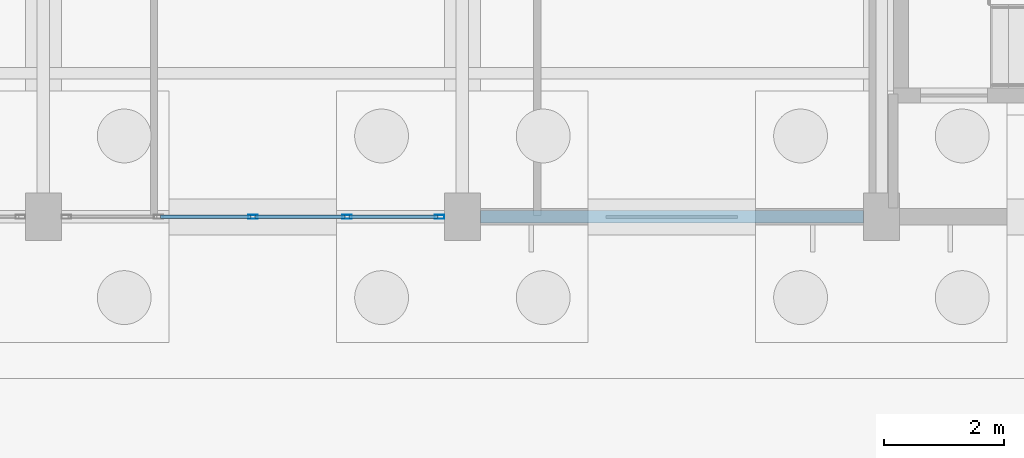
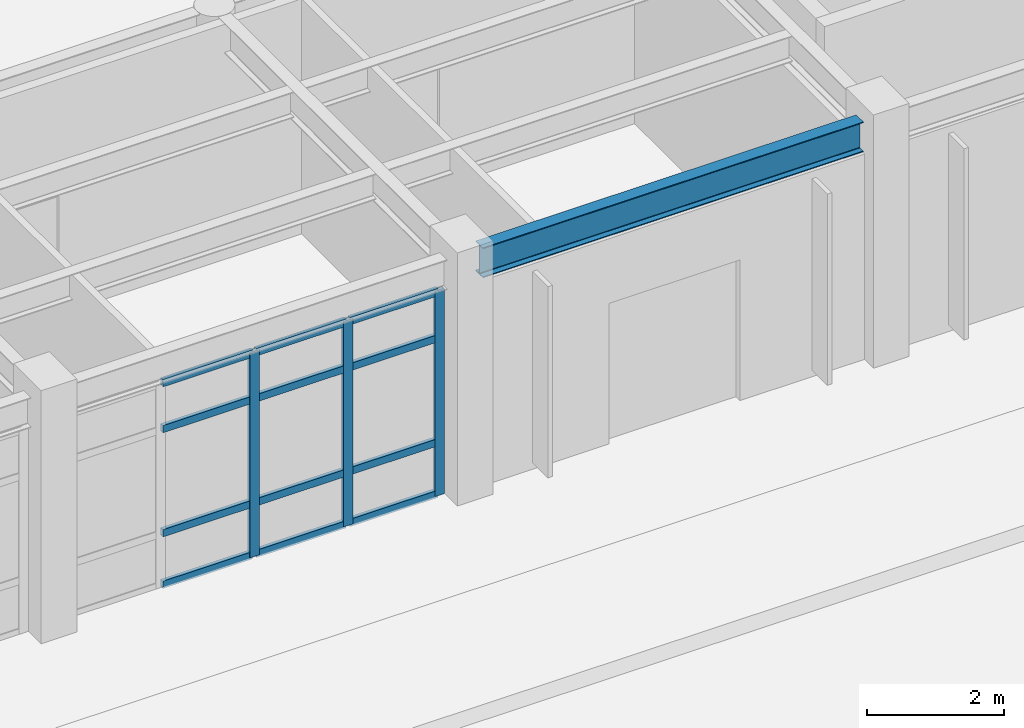
# One storey, part 18 of 154: 15 members, 1 beam, 1 element without a shape of its own.
"""IFC4 building model written with IfcOpenShell, lengths in metres."""

from ifc_helpers import new_model, si_unit, direction, frame, origin, origin_2d, place, context, subcontext, project, spatial, hollow_rectangle, i_section, extrude, material, material_profile, profile_set, type_object, element, aggregate, save


model = new_model("IFC4")

# Units and contexts
model_context = context("Model", 3, precision=1e-05, world=origin(), true_north=direction((0.0, 1.0)))
body_context = subcontext(model_context, "Body", "Model", "MODEL_VIEW")
ifc_project = project(units=[si_unit("LENGTHUNIT", "METRE"), si_unit("AREAUNIT", "SQUARE_METRE"), si_unit("VOLUMEUNIT", "CUBIC_METRE"), si_unit("PLANEANGLEUNIT", "RADIAN"), si_unit("MASSUNIT", "GRAM", prefix="KILO")], contexts=[model_context])

# Site, building, storey
site_placement = place(None, origin())
site = spatial("IfcSite", under=ifc_project, at=site_placement, CompositionType="ELEMENT")
building_placement = place(site_placement, origin())
building = spatial("IfcBuilding", under=site, at=building_placement, Name="Kestramere Prow Commons", CompositionType="ELEMENT")
storey_placement = place(building_placement, origin())
storey = spatial("IfcBuildingStorey", under=building, at=storey_placement, Name="L00", CompositionType="ELEMENT", Elevation=0.0)

# Beam
ifc_material_1 = material(Name="Steel S355JR", Category="steel")
ifc_material_profile_1 = material_profile(ifc_material_1, i_section(OverallWidth=0.209228515625, OverallDepth=0.533203125, WebThickness=0.010009765625, FlangeThickness=0.015625, FilletRadius=0.0126953125, at=origin_2d()), Name="UB 533x210x92")
ifc_profile_set_1 = profile_set([ifc_material_profile_1], Name="Steel S355JR")
beam_type = type_object("IfcBeamType", Name="BM-HL-GAL UB 533x210x92 (EX)", PredefinedType="BEAM", material=ifc_profile_set_1)
beam_placement = place(storey_placement, frame((37.5, 7.5, 3.933349609375), z_axis=(1.0, 0.0, 0.0), x_axis=(0.0, 1.0, 0.0)))
element("IfcBeam", 1, at=beam_placement, inside=storey, type_object=beam_type, Name="Hall South Girder 6", PredefinedType="BEAM", context=body_context, shape_type="SweptSolid", body=[
    extrude(i_section(OverallWidth=0.209228515625, OverallDepth=0.533203125, WebThickness=0.010009765625, FlangeThickness=0.015625, FilletRadius=0.0126953125, at=origin_2d()), origin(), (0.0, 0.0, 1.0), 6.39990234375),
])

# Curtain wall, members
ifc_material_2 = material(Name="Anodised Aluminium and Low-E Glass", Category="aluminium")
curtain_wall_type = type_object("IfcCurtainWallType", Name="CW-11 Glazed Curtain Wall 6300x3650", PredefinedType="USERDEFINED", material=ifc_material_2)
curtain_wall_placement = place(storey_placement, origin())
curtain_wall = element("IfcCurtainWall", 2, at=curtain_wall_placement, inside=storey, type_object=curtain_wall_type, Name="Hall South Foyer Curtain Wall 5", ObjectType="GLAZED CURTAIN WALL", PredefinedType="USERDEFINED")
ifc_material_3 = material(Name="Anodised Aluminium 6063-T6", Category="aluminium")
ifc_material_profile_2 = material_profile(ifc_material_3, hollow_rectangle(XDim=0.06494140625, YDim=0.159912109375, WallThickness=0.00390625, at=origin_2d()), Name="ALU-MUL 65x160")
ifc_profile_set_2 = profile_set([ifc_material_profile_2], Name="Anodised Aluminium 6063-T6")
member_type_1 = type_object("IfcMemberType", Name="CW-MUL-65x160", PredefinedType="MULLION", material=ifc_profile_set_2)
member_1_placement = place(storey_placement, frame((36.8173828125, 7.5, 0.0), z_axis=(0.0, 0.0, 1.0), x_axis=(0.0, -1.0, 0.0)))
member_1 = element("IfcMember", 3, at=member_1_placement, type_object=member_type_1, Name="CW-11 mullion 1", PredefinedType="MULLION", context=body_context, shape_type="SweptSolid", body=[
    extrude(hollow_rectangle(XDim=0.06494140625, YDim=0.159912109375, WallThickness=0.00390625, at=origin_2d()), origin(), (0.0, 0.0, 1.0), 3.64990234375),
])
member_2_placement = place(storey_placement, frame((35.27490234375, 7.5, 0.0), z_axis=(0.0, 0.0, 1.0), x_axis=(0.0, -1.0, 0.0)))
member_2 = element("IfcMember", 4, at=member_2_placement, type_object=member_type_1, Name="CW-11 mullion 2", PredefinedType="MULLION", context=body_context, shape_type="SweptSolid", body=[
    extrude(hollow_rectangle(XDim=0.06494140625, YDim=0.159912109375, WallThickness=0.00390625, at=origin_2d()), origin(), (0.0, 0.0, 1.0), 3.64990234375),
])
member_3_placement = place(storey_placement, frame((33.699951171875, 7.5, 0.0), z_axis=(0.0, 0.0, 1.0), x_axis=(0.0, -1.0, 0.0)))
member_3 = element("IfcMember", 5, at=member_3_placement, type_object=member_type_1, Name="CW-11 mullion 3", PredefinedType="MULLION", context=body_context, shape_type="SweptSolid", body=[
    extrude(hollow_rectangle(XDim=0.06494140625, YDim=0.159912109375, WallThickness=0.00390625, at=origin_2d()), origin(), (0.0, 0.0, 1.0), 3.64990234375),
])
ifc_material_profile_3 = material_profile(ifc_material_3, hollow_rectangle(XDim=0.06494140625, YDim=0.1298828125, WallThickness=0.00390625, at=origin_2d()), Name="ALU-TRN 65x130")
ifc_profile_set_3 = profile_set([ifc_material_profile_3], Name="Anodised Aluminium 6063-T6")
member_type_2 = type_object("IfcMemberType", Name="CW-TRN-65x130", PredefinedType="USERDEFINED", material=ifc_profile_set_3)
member_4_placement = place(storey_placement, frame((36.784912109375, 7.5, 0.032470703125), z_axis=(-1.0, 0.0, 0.0), x_axis=(0.0, -1.0, 0.0)))
member_4 = element("IfcMember", 6, at=member_4_placement, type_object=member_type_2, Name="CW-11 transom 1.1", ObjectType="TRANSOM", PredefinedType="USERDEFINED", context=body_context, shape_type="SweptSolid", body=[
    extrude(hollow_rectangle(XDim=0.06494140625, YDim=0.1298828125, WallThickness=0.00390625, at=origin_2d()), origin(), (0.0, 0.0, 1.0), 1.477294921875),
])
member_5_placement = place(storey_placement, frame((36.784912109375, 7.5, 0.949951171875), z_axis=(-1.0, 0.0, 0.0), x_axis=(0.0, -1.0, 0.0)))
member_5 = element("IfcMember", 7, at=member_5_placement, type_object=member_type_2, Name="CW-11 transom 1.2", ObjectType="TRANSOM", PredefinedType="USERDEFINED", context=body_context, shape_type="SweptSolid", body=[
    extrude(hollow_rectangle(XDim=0.06494140625, YDim=0.1298828125, WallThickness=0.00390625, at=origin_2d()), origin(), (0.0, 0.0, 1.0), 1.477294921875),
])
member_6_placement = place(storey_placement, frame((36.784912109375, 7.5, 2.800048828125), z_axis=(-1.0, 0.0, 0.0), x_axis=(0.0, -1.0, 0.0)))
member_6 = element("IfcMember", 8, at=member_6_placement, type_object=member_type_2, Name="CW-11 transom 1.3", ObjectType="TRANSOM", PredefinedType="USERDEFINED", context=body_context, shape_type="SweptSolid", body=[
    extrude(hollow_rectangle(XDim=0.06494140625, YDim=0.1298828125, WallThickness=0.00390625, at=origin_2d()), origin(), (0.0, 0.0, 1.0), 1.477294921875),
])
member_7_placement = place(storey_placement, frame((36.784912109375, 7.5, 3.617431640625), z_axis=(-1.0, 0.0, 0.0), x_axis=(0.0, -1.0, 0.0)))
member_7 = element("IfcMember", 9, at=member_7_placement, type_object=member_type_2, Name="CW-11 transom 1.4", ObjectType="TRANSOM", PredefinedType="USERDEFINED", context=body_context, shape_type="SweptSolid", body=[
    extrude(hollow_rectangle(XDim=0.06494140625, YDim=0.1298828125, WallThickness=0.00390625, at=origin_2d()), origin(), (0.0, 0.0, 1.0), 1.477294921875),
])
member_8_placement = place(storey_placement, frame((35.242431640625, 7.5, 0.032470703125), z_axis=(-1.0, 0.0, 0.0), x_axis=(0.0, -1.0, 0.0)))
member_8 = element("IfcMember", 10, at=member_8_placement, type_object=member_type_2, Name="CW-11 transom 2.1", ObjectType="TRANSOM", PredefinedType="USERDEFINED", context=body_context, shape_type="SweptSolid", body=[
    extrude(hollow_rectangle(XDim=0.06494140625, YDim=0.1298828125, WallThickness=0.00390625, at=origin_2d()), origin(), (0.0, 0.0, 1.0), 1.510009765625),
])
member_9_placement = place(storey_placement, frame((35.242431640625, 7.5, 0.949951171875), z_axis=(-1.0, 0.0, 0.0), x_axis=(0.0, -1.0, 0.0)))
member_9 = element("IfcMember", 11, at=member_9_placement, type_object=member_type_2, Name="CW-11 transom 2.2", ObjectType="TRANSOM", PredefinedType="USERDEFINED", context=body_context, shape_type="SweptSolid", body=[
    extrude(hollow_rectangle(XDim=0.06494140625, YDim=0.1298828125, WallThickness=0.00390625, at=origin_2d()), origin(), (0.0, 0.0, 1.0), 1.510009765625),
])
member_10_placement = place(storey_placement, frame((35.242431640625, 7.5, 2.800048828125), z_axis=(-1.0, 0.0, 0.0), x_axis=(0.0, -1.0, 0.0)))
member_10 = element("IfcMember", 12, at=member_10_placement, type_object=member_type_2, Name="CW-11 transom 2.3", ObjectType="TRANSOM", PredefinedType="USERDEFINED", context=body_context, shape_type="SweptSolid", body=[
    extrude(hollow_rectangle(XDim=0.06494140625, YDim=0.1298828125, WallThickness=0.00390625, at=origin_2d()), origin(), (0.0, 0.0, 1.0), 1.510009765625),
])
member_11_placement = place(storey_placement, frame((35.242431640625, 7.5, 3.617431640625), z_axis=(-1.0, 0.0, 0.0), x_axis=(0.0, -1.0, 0.0)))
member_11 = element("IfcMember", 13, at=member_11_placement, type_object=member_type_2, Name="CW-11 transom 2.4", ObjectType="TRANSOM", PredefinedType="USERDEFINED", context=body_context, shape_type="SweptSolid", body=[
    extrude(hollow_rectangle(XDim=0.06494140625, YDim=0.1298828125, WallThickness=0.00390625, at=origin_2d()), origin(), (0.0, 0.0, 1.0), 1.510009765625),
])
member_12_placement = place(storey_placement, frame((33.66748046875, 7.5, 0.032470703125), z_axis=(-1.0, 0.0, 0.0), x_axis=(0.0, -1.0, 0.0)))
member_12 = element("IfcMember", 14, at=member_12_placement, type_object=member_type_2, Name="CW-11 transom 3.1", ObjectType="TRANSOM", PredefinedType="USERDEFINED", context=body_context, shape_type="SweptSolid", body=[
    extrude(hollow_rectangle(XDim=0.06494140625, YDim=0.1298828125, WallThickness=0.00390625, at=origin_2d()), origin(), (0.0, 0.0, 1.0), 1.510009765625),
])
member_13_placement = place(storey_placement, frame((33.66748046875, 7.5, 0.949951171875), z_axis=(-1.0, 0.0, 0.0), x_axis=(0.0, -1.0, 0.0)))
member_13 = element("IfcMember", 15, at=member_13_placement, type_object=member_type_2, Name="CW-11 transom 3.2", ObjectType="TRANSOM", PredefinedType="USERDEFINED", context=body_context, shape_type="SweptSolid", body=[
    extrude(hollow_rectangle(XDim=0.06494140625, YDim=0.1298828125, WallThickness=0.00390625, at=origin_2d()), origin(), (0.0, 0.0, 1.0), 1.510009765625),
])
member_14_placement = place(storey_placement, frame((33.66748046875, 7.5, 2.800048828125), z_axis=(-1.0, 0.0, 0.0), x_axis=(0.0, -1.0, 0.0)))
member_14 = element("IfcMember", 16, at=member_14_placement, type_object=member_type_2, Name="CW-11 transom 3.3", ObjectType="TRANSOM", PredefinedType="USERDEFINED", context=body_context, shape_type="SweptSolid", body=[
    extrude(hollow_rectangle(XDim=0.06494140625, YDim=0.1298828125, WallThickness=0.00390625, at=origin_2d()), origin(), (0.0, 0.0, 1.0), 1.510009765625),
])
member_15_placement = place(storey_placement, frame((33.66748046875, 7.5, 3.617431640625), z_axis=(-1.0, 0.0, 0.0), x_axis=(0.0, -1.0, 0.0)))
member_15 = element("IfcMember", 17, at=member_15_placement, type_object=member_type_2, Name="CW-11 transom 3.4", ObjectType="TRANSOM", PredefinedType="USERDEFINED", context=body_context, shape_type="SweptSolid", body=[
    extrude(hollow_rectangle(XDim=0.06494140625, YDim=0.1298828125, WallThickness=0.00390625, at=origin_2d()), origin(), (0.0, 0.0, 1.0), 1.510009765625),
])
aggregate(curtain_wall, [member_1, member_2, member_3, member_4, member_5, member_6, member_7, member_8, member_9, member_10, member_11, member_12, member_13, member_14, member_15])

save(model, "model.ifc")
